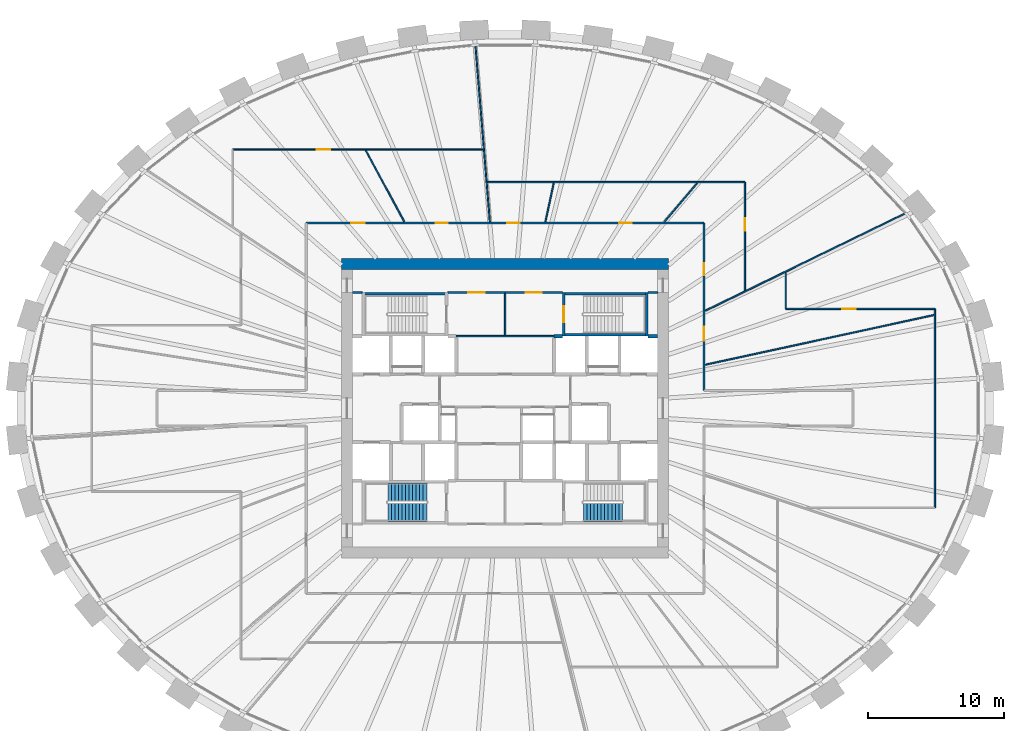
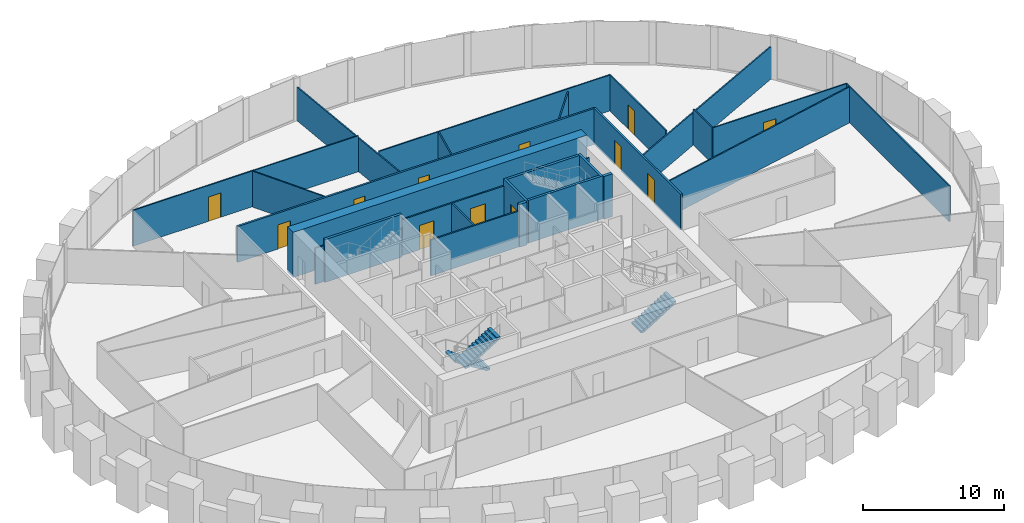
# One storey, part 9 of 11: 27 walls, 12 doors, 3 stair flights, 12 openings, 2 elements without a shape of their own.
"""IFC4 building model written with IfcOpenShell, lengths in metres."""

import ifcopenshell
import ifcopenshell.guid

model = None  # the IFC model being written
_history = None  # IfcOwnerHistory: only IFC2X3 demands one
_inside = {}  # id of a spatial element -> (the spatial element, [elements in it])
_under = {}  # id of a project, library or spatial element -> (it, [spatial elements below it])
_declared = {}  # id of a project -> (the project, [libraries it declares])
_typed = {}  # id of a type object -> (the type object, [elements of that type])
_made_of = {}  # id of a material, layer set ... -> (it, [elements and type objects made of it])


def new_model(schema):
    """Start an empty IFC model of exactly this schema.

    Asked for "IFC4X3", IfcOpenShell would pick the latest addendum, in which some entities
    have other attributes; the version numbers below select the first issue.
    IFC2X3 requires an IfcOwnerHistory on every rooted entity: one is made here for all.
    """
    global model, _history
    if schema == "IFC4X3":
        model = ifcopenshell.file(schema_version=(4, 3, 0, 0))
    else:
        model = ifcopenshell.file(schema=schema)
    _inside.clear()
    _under.clear()
    _declared.clear()
    _typed.clear()
    _made_of.clear()
    _history = None
    if model.schema == "IFC2X3":
        org = make("IfcOrganization", Name="unknown")
        user = make(
            "IfcPersonAndOrganization",
            ThePerson=make("IfcPerson", FamilyName="unknown"),
            TheOrganization=org,
        )
        app = make(
            "IfcApplication",
            ApplicationDeveloper=org,
            Version="unknown",
            ApplicationFullName="unknown",
            ApplicationIdentifier="unknown",
        )
        _history = make(
            "IfcOwnerHistory",
            OwningUser=user,
            OwningApplication=app,
            ChangeAction="ADDED",
            CreationDate=0,
        )
    return model


def make(cls, **values):
    """One entity of the class cls with the attributes given. An attribute that is None is left unset."""
    return model.create_entity(
        cls, **{name: value for name, value in values.items() if value is not None}
    )


def rooted(cls, **values):
    """An entity with a GlobalId (a new one), such as an element, a storey or a relation."""
    return make(cls, GlobalId=ifcopenshell.guid.new(), OwnerHistory=_history, **values)


def si_unit(unit_type, name, prefix=None):
    """IfcSIUnit, for example si_unit("LENGTHUNIT", "METRE", prefix="MILLI")."""
    return make("IfcSIUnit", UnitType=unit_type, Prefix=prefix, Name=name)


def assignment(units):
    """IfcUnitAssignment: the units of a project."""
    return None if units is None else make("IfcUnitAssignment", Units=units)


def point(xyz):
    """IfcCartesianPoint."""
    return None if xyz is None else make("IfcCartesianPoint", Coordinates=xyz)


def direction(xyz):
    """IfcDirection."""
    return None if xyz is None else make("IfcDirection", DirectionRatios=xyz)


def frame(location, z_axis=None, x_axis=None):
    """IfcAxis2Placement3D, a coordinate frame: its origin and axes. An axis left out is left unset."""
    return make(
        "IfcAxis2Placement3D",
        Location=point(location),
        Axis=direction(z_axis),
        RefDirection=direction(x_axis),
    )


def frame_2d(location, x_axis=None):
    """IfcAxis2Placement2D, a coordinate frame in the plane: its origin and x axis."""
    return make(
        "IfcAxis2Placement2D", Location=point(location), RefDirection=direction(x_axis)
    )


def origin():
    """The frame at (0, 0, 0) with its axes left unset."""
    return frame((0.0, 0.0, 0.0))


def place(relative_to, where):
    """IfcLocalPlacement: puts the frame where relative to a parent placement (None: the world)."""
    return make(
        "IfcLocalPlacement", PlacementRelTo=relative_to, RelativePlacement=where
    )


def context(
    kind, dimensions, precision=None, world=None, true_north=None, identifier=None
):
    """IfcGeometricRepresentationContext, for example the 3D "Model" context."""
    return make(
        "IfcGeometricRepresentationContext",
        ContextIdentifier=identifier,
        ContextType=kind,
        CoordinateSpaceDimension=dimensions,
        Precision=precision,
        WorldCoordinateSystem=world,
        TrueNorth=true_north,
    )


def subcontext(parent, identifier, kind, view, scale=None):
    """IfcGeometricRepresentationSubContext, for example "Body" below "Model"."""
    return make(
        "IfcGeometricRepresentationSubContext",
        ContextIdentifier=identifier,
        ContextType=kind,
        ParentContext=parent,
        TargetScale=scale,
        TargetView=view,
    )


def project(units=None, contexts=None):
    """IfcProject with its units and contexts."""
    return rooted(
        "IfcProject",
        Name="project",
        RepresentationContexts=contexts,
        UnitsInContext=assignment(units),
    )


def spatial(cls, under=None, at=None, **own):
    """A site, building, storey or space (cls), placed at a placement, below another one or the project."""
    s = rooted(cls, ObjectPlacement=at, **own)
    if under is not None:
        _under.setdefault(under.id(), (under, []))[1].append(s)
    return s


def polyline(points):
    """IfcPolyline through the points."""
    return make("IfcPolyline", Points=[point(p) for p in points])


def profile(cls, at=None, kind="AREA", **sizes):
    """A parametric profile (cls). Its sizes go by their IFC names, for example OverallWidth=200.0."""
    return make(cls, ProfileType=kind, Position=at, **sizes)


def rectangle(**sizes):
    """IfcRectangleProfileDef."""
    return profile("IfcRectangleProfileDef", **sizes)


def outline(outer, holes=None, kind="AREA"):
    """IfcArbitraryClosedProfileDef: a profile drawn as a closed curve; with holes, ...WithVoids."""
    if holes is None:
        return make("IfcArbitraryClosedProfileDef", ProfileType=kind, OuterCurve=outer)
    return make(
        "IfcArbitraryProfileDefWithVoids",
        ProfileType=kind,
        OuterCurve=outer,
        InnerCurves=holes,
    )


def extrude(swept, where, along, depth):
    """IfcExtrudedAreaSolid: the profile swept, set in the frame where, extruded along a direction by depth."""
    return make(
        "IfcExtrudedAreaSolid",
        SweptArea=swept,
        Position=where,
        ExtrudedDirection=direction(along),
        Depth=depth,
    )


def shape(context_of_items, identifier, shape_type, items):
    """IfcShapeRepresentation: the items that make up one representation, for example the "Body"."""
    return make(
        "IfcShapeRepresentation",
        ContextOfItems=context_of_items,
        RepresentationIdentifier=identifier,
        RepresentationType=shape_type,
        Items=items,
    )


def source(mapping_origin, context_of_items, identifier, shape_type, items):
    """IfcRepresentationMap: a shape defined once, which mapped items show again and again."""
    return make(
        "IfcRepresentationMap",
        MappingOrigin=mapping_origin,
        MappedRepresentation=shape(context_of_items, identifier, shape_type, items),
    )


def transform(
    local_origin,
    x_axis=None,
    y_axis=None,
    z_axis=None,
    scale=None,
    scale2=None,
    scale3=None,
    uniform=True,
):
    """IfcCartesianTransformationOperator3D, or its non-uniform kind. x_axis, y_axis, z_axis: its Axis1, 2, 3."""
    if uniform:
        return make(
            "IfcCartesianTransformationOperator3D",
            Axis1=direction(x_axis),
            Axis2=direction(y_axis),
            LocalOrigin=point(local_origin),
            Scale=scale,
            Axis3=direction(z_axis),
        )
    return make(
        "IfcCartesianTransformationOperator3DnonUniform",
        Axis1=direction(x_axis),
        Axis2=direction(y_axis),
        LocalOrigin=point(local_origin),
        Scale=scale,
        Axis3=direction(z_axis),
        Scale2=scale2,
        Scale3=scale3,
    )


def mapped(mapping_source, mapping_target):
    """IfcMappedItem: shows the shape of a source again, moved by a transform."""
    return make(
        "IfcMappedItem", MappingSource=mapping_source, MappingTarget=mapping_target
    )


def material(Name=None, Category=None):
    """IfcMaterial."""
    return make("IfcMaterial", Name=Name, Category=Category)


def layer(
    of_material, thickness, ventilated=None, Name=None, Category=None, Priority=None
):
    """IfcMaterialLayer: one layer of a wall or slab, of a material (None: an air gap)."""
    return make(
        "IfcMaterialLayer",
        Material=of_material,
        LayerThickness=thickness,
        IsVentilated=ventilated,
        Name=Name,
        Category=Category,
        Priority=Priority,
    )


def layer_set(layers, Name=None):
    """IfcMaterialLayerSet."""
    return make("IfcMaterialLayerSet", MaterialLayers=layers, LayerSetName=Name)


def made_of(thing, what):
    """Note that an element or type object is made of a material, layer set ...; save() writes the relation."""
    if what is not None:
        _made_of.setdefault(what.id(), (what, []))[1].append(thing)
    return thing


def type_object(cls, material=None, **own):
    """A type object (cls), such as IfcWallType, which elements share."""
    return made_of(rooted(cls, **own), material)


def element(
    cls,
    number,
    at=None,
    inside=None,
    cuts=None,
    type_object=None,
    material=None,
    context=None,
    identifier="Body",
    shape_type=None,
    held_by="IfcProductDefinitionShape",
    body=None,
    shapes=None,
    **own,
):
    """One element of the class cls, such as IfcWall. Its Tag is "e" and its number.

    at: its placement. inside: the storey or other place that contains it. cuts: it is an
    opening in that element (IfcRelVoidsElement). A single representation is given by context,
    identifier, shape_type and body (its items); several are given by shapes. held_by: the class
    of the entity that holds the representations. save() writes the other relations.
    """
    e = rooted(cls, Tag="e%d" % number, ObjectPlacement=at, **own)
    if body is not None:
        shapes = [shape(context, identifier, shape_type, body)]
    if shapes is not None:
        e.Representation = make(held_by, Representations=shapes)
    if inside is not None:
        _inside.setdefault(inside.id(), (inside, []))[1].append(e)
    if cuts is not None:
        rooted(
            "IfcRelVoidsElement", RelatingBuildingElement=cuts, RelatedOpeningElement=e
        )
    if type_object is not None:
        _typed.setdefault(type_object.id(), (type_object, []))[1].append(e)
    return made_of(e, material)


def fill(opening, filler):
    """IfcRelFillsElement: the door or window that sits in an opening."""
    return rooted(
        "IfcRelFillsElement",
        RelatingOpeningElement=opening,
        RelatedBuildingElement=filler,
    )


def aggregate(whole, parts):
    """IfcRelAggregates: a whole, such as a stair, and the parts it consists of."""
    return rooted("IfcRelAggregates", RelatingObject=whole, RelatedObjects=parts)


def save(model, path):
    """Write the relations noted so far, then the file.

    IfcRelAggregates (storeys below a building ...), IfcRelContainedInSpatialStructure (elements
    in a storey), IfcRelDefinesByType, IfcRelAssociatesMaterial and IfcRelDeclares: one each for
    every whole, place, type object, material and project.
    """
    for whole, parts in _under.values():
        aggregate(whole, parts)
    for where, things in _inside.values():
        rooted(
            "IfcRelContainedInSpatialStructure",
            RelatedElements=things,
            RelatingStructure=where,
        )
    for kind, things in _typed.values():
        rooted("IfcRelDefinesByType", RelatedObjects=things, RelatingType=kind)
    for what, things in _made_of.values():
        rooted("IfcRelAssociatesMaterial", RelatedObjects=things, RelatingMaterial=what)
    for by, libraries in _declared.values():
        rooted("IfcRelDeclares", RelatingContext=by, RelatedDefinitions=libraries)
    model.write(path)


model = new_model("IFC4")

# Units and contexts
model_context = context("Model", 3, precision=1e-05, world=origin(), true_north=direction((0.0, 1.0)))
body_context = subcontext(model_context, "Body", "Model", "MODEL_VIEW")
ifc_project = project(units=[si_unit("LENGTHUNIT", "METRE"), si_unit("AREAUNIT", "SQUARE_METRE"), si_unit("VOLUMEUNIT", "CUBIC_METRE"), si_unit("PLANEANGLEUNIT", "RADIAN"), si_unit("MASSUNIT", "GRAM", prefix="KILO")], contexts=[model_context])

# Site, building, storey
site_placement = place(None, origin())
site = spatial("IfcSite", under=ifc_project, at=site_placement, CompositionType="ELEMENT")
building_placement = place(site_placement, origin())
building = spatial("IfcBuilding", under=site, at=building_placement, Name="Embergate Tower", CompositionType="ELEMENT")
storey_placement = place(building_placement, frame((0.0, 0.0, 199.5)))
storey = spatial("IfcBuildingStorey", under=building, at=storey_placement, Name="L45", CompositionType="ELEMENT", Elevation=199.5)

# Walls
ifc_material_1 = material(Name="Concrete C70", Category="concrete")
ifc_layer_1 = layer(ifc_material_1, 0.800048828125)
ifc_layer_set_1 = layer_set([ifc_layer_1], Name="Concrete C70")
wall_type_1 = type_object("IfcWallType", Name="Core outer wall C70 800", PredefinedType="SHEAR", material=ifc_layer_set_1)
shared_shape_1 = source(origin(), body_context, "Body", "SweptSolid", [
    extrude(rectangle(XDim=24.0, YDim=0.800048828125, at=frame_2d((12.0, 0.0))), origin(), (0.0, 0.0, 1.0), 3.89990234375),
])
wall_1_placement = place(storey_placement, frame((-12.0, 10.60009765625, -0.199951171875), z_axis=(0.0, 0.0, 1.0), x_axis=(1.0, 0.0, 0.0)))
element("IfcWall", 1, at=wall_1_placement, inside=storey, type_object=wall_type_1, Name="CW-L45-N", PredefinedType="SHEAR", context=body_context, shape_type="MappedRepresentation", body=[
    mapped(shared_shape_1, transform((0.0, 0.0, 0.0))),
])
ifc_material_2 = material(Name="Concrete C50", Category="concrete")
ifc_layer_2 = layer(ifc_material_2, 0.199951171875)
ifc_layer_set_2 = layer_set([ifc_layer_2], Name="Concrete C50")
wall_type_2 = type_object("IfcWallType", Name="Stair enclosure wall reinforced concrete 250", PredefinedType="SHEAR", material=ifc_layer_set_2)
shared_shape_2 = source(origin(), body_context, "Body", "SweptSolid", [
    extrude(rectangle(XDim=6.300048828125, YDim=0.199951171875, at=frame_2d((3.14990234375, 0.0))), origin(), (0.0, 0.0, 1.0), 3.699951171875),
])
for number, where, z_axis, x_axis, name in (
    (2, (10.5, 5.39990234375, 0.0), (0.0, 0.0, 1.0), (-1.0, 0.0, 0.0), "SE-1 wall"),
    (3, (-4.199951171875, 8.39990234375, 0.0), (0.0, 0.0, 1.0), (-1.0, 0.0, 0.0), "SE-1 wall"),
    (4, (10.5, 8.39990234375, 0.0), (0.0, 0.0, 1.0), (-1.0, 0.0, 0.0), "SE-1 wall"),
):
    element("IfcWall", number, at=place(storey_placement, frame(where, z_axis=z_axis, x_axis=x_axis)), inside=storey, type_object=wall_type_2, Name=name, PredefinedType="SHEAR", context=body_context, shape_type="MappedRepresentation", body=[
        mapped(shared_shape_2, transform((0.0, 0.0, 0.0))),
    ])

# Wall, opening, door
shared_shape_3 = source(origin(), body_context, "Body", "SweptSolid", [
    extrude(rectangle(XDim=3.199951171875, YDim=0.199951171875, at=frame_2d((1.60009765625, 0.0))), origin(), (0.0, 0.0, 1.0), 3.699951171875),
])
wall_2_placement = place(storey_placement, frame((4.300048828125, 8.5, 0.0), z_axis=(0.0, 0.0, 1.0), x_axis=(0.0, -1.0, 0.0)))
wall_2 = element("IfcWall", 5, at=wall_2_placement, inside=storey, type_object=wall_type_2, Name="SE-1 wall", PredefinedType="SHEAR", context=body_context, shape_type="MappedRepresentation", body=[
    mapped(shared_shape_3, transform((0.0, 0.0, 0.0))),
])
shared_shape_4 = source(origin(), body_context, "Body", "SweptSolid", [
    extrude(rectangle(XDim=1.199951171875, YDim=2.10009765625, at=frame_2d((0.60009765625, 1.050048828125))), frame((0.0, 0.10986328125, 0.0), z_axis=(0.0, -1.0, 0.0), x_axis=(1.0, 0.0, 0.0)), (0.0, 0.0, 1.0), 0.219970703125),
])
opening_1_placement = place(wall_2_placement, frame((1.0, 0.0, 0.0)))
opening_1 = element("IfcOpeningElement", 6, at=opening_1_placement, cuts=wall_2, Name="Opening IF-2", PredefinedType="OPENING", context=body_context, shape_type="MappedRepresentation", body=[
    mapped(shared_shape_4, transform((0.0, 0.0, 0.0))),
])
ifc_material_3 = material(Name="Stair enclosure door 1200")
door_type_1 = type_object("IfcDoorType", Name="Stair enclosure door 1200", OperationType="SINGLE_SWING_LEFT", PredefinedType="DOOR", material=ifc_material_3)
shared_shape_5 = source(origin(), body_context, "Body", "SweptSolid", [
    extrude(rectangle(XDim=1.199951171875, YDim=2.10009765625, at=frame_2d((0.60009765625, 1.050048828125))), frame((0.0, 0.02490234375, 0.0), z_axis=(0.0, -1.0, 0.0), x_axis=(1.0, 0.0, 0.0)), (0.0, 0.0, 1.0), 0.050048828125),
])
door_1_placement = place(opening_1_placement, origin())
door_1 = element("IfcDoor", 7, at=door_1_placement, inside=storey, type_object=door_type_1, Name="IF-2 door", OperationType="SINGLE_SWING_LEFT", OverallHeight=2.10009765625, OverallWidth=1.199951171875, PredefinedType="DOOR", context=body_context, shape_type="MappedRepresentation", body=[
    mapped(shared_shape_5, transform((0.0, 0.0, 0.0))),
])
fill(opening_1, door_1)

# Wall, openings, doors
ifc_material_4 = material(Name="Core partition blockwork 120")
ifc_layer_3 = layer(ifc_material_4, 0.1201171875)
ifc_layer_set_3 = layer_set([ifc_layer_3], Name="Core partition blockwork 120")
wall_type_3 = type_object("IfcWallType", Name="Core partition blockwork 120", PredefinedType="PARTITIONING", material=ifc_layer_set_3)
shared_shape_6 = source(origin(), body_context, "Body", "SweptSolid", [
    extrude(rectangle(XDim=8.39990234375, YDim=0.1201171875, at=frame_2d((4.199951171875, 0.0))), origin(), (0.0, 0.0, 1.0), 3.10009765625),
])
wall_3_placement = place(storey_placement, frame((4.199951171875, 8.5, 0.0), z_axis=(0.0, 0.0, 1.0), x_axis=(-1.0, 0.0, 0.0)))
wall_3 = element("IfcWall", 8, at=wall_3_placement, inside=storey, type_object=wall_type_3, Name="IP-3 wall", PredefinedType="PARTITIONING", context=body_context, shape_type="MappedRepresentation", body=[
    mapped(shared_shape_6, transform((0.0, 0.0, 0.0))),
])
shared_shape_7 = source(origin(), body_context, "Body", "SweptSolid", [
    extrude(rectangle(XDim=1.199951171875, YDim=2.10009765625, at=frame_2d((0.60009765625, 1.050048828125))), frame((0.0, 0.070068359375, 0.0), z_axis=(0.0, -1.0, 0.0), x_axis=(1.0, 0.0, 0.0)), (0.0, 0.0, 1.0), 0.14013671875),
])
opening_2_placement = place(wall_3_placement, frame((5.699951171875, 0.0, 0.0)))
opening_2 = element("IfcOpeningElement", 9, at=opening_2_placement, cuts=wall_3, Name="Opening IF-3f", PredefinedType="OPENING", context=body_context, shape_type="MappedRepresentation", body=[
    mapped(shared_shape_7, transform((0.0, 0.0, 0.0))),
])
opening_3_placement = place(wall_3_placement, frame((1.5, 0.0, 0.0)))
opening_3 = element("IfcOpeningElement", 10, at=opening_3_placement, cuts=wall_3, Name="Opening IF-3f", PredefinedType="OPENING", context=body_context, shape_type="MappedRepresentation", body=[
    mapped(shared_shape_7, transform((0.0, 0.0, 0.0))),
])
ifc_material_5 = material(Name="Lobby fire door pair 1200")
door_type_2 = type_object("IfcDoorType", Name="Lobby fire door pair 1200", OperationType="DOUBLE_DOOR_SINGLE_SWING", PredefinedType="DOOR", material=ifc_material_5)
door_2_placement = place(opening_2_placement, origin())
door_2 = element("IfcDoor", 11, at=door_2_placement, inside=storey, type_object=door_type_2, Name="IF-3 door", OperationType="DOUBLE_DOOR_SINGLE_SWING", OverallHeight=2.10009765625, OverallWidth=1.199951171875, PredefinedType="DOOR", context=body_context, shape_type="MappedRepresentation", body=[
    mapped(shared_shape_5, transform((0.0, 0.0, 0.0))),
])
fill(opening_2, door_2)
door_3_placement = place(opening_3_placement, origin())
door_3 = element("IfcDoor", 12, at=door_3_placement, inside=storey, type_object=door_type_2, Name="IF-3 door", OperationType="DOUBLE_DOOR_SINGLE_SWING", OverallHeight=2.10009765625, OverallWidth=1.199951171875, PredefinedType="DOOR", context=body_context, shape_type="MappedRepresentation", body=[
    mapped(shared_shape_5, transform((0.0, 0.0, 0.0))),
])
fill(opening_3, door_3)

# Wall, opening, door
ifc_material_6 = material(Name="Partition dry-lined 100")
ifc_layer_4 = layer(ifc_material_6, 0.10009765625)
ifc_layer_set_4 = layer_set([ifc_layer_4], Name="Partition dry-lined 100")
wall_type_4 = type_object("IfcWallType", Name="Partition dry-lined 100", PredefinedType="PARTITIONING", material=ifc_layer_set_4)
shared_shape_8 = source(origin(), body_context, "Body", "SweptSolid", [
    extrude(rectangle(XDim=10.949951171875, YDim=0.10009765625, at=frame_2d((5.47509765625, 0.0))), origin(), (0.0, 0.0, 1.0), 3.10009765625),
])
wall_4_placement = place(storey_placement, frame((20.60009765625, 7.300048828125, 0.0), z_axis=(0.0, 0.0, 1.0), x_axis=(1.0, 0.0, 0.0)))
wall_4 = element("IfcWall", 13, at=wall_4_placement, inside=storey, type_object=wall_type_4, Name="IP-1 wall", PredefinedType="PARTITIONING", context=body_context, shape_type="MappedRepresentation", body=[
    mapped(shared_shape_8, transform((0.0, 0.0, 0.0))),
])
shared_shape_9 = source(origin(), body_context, "Body", "SweptSolid", [
    extrude(rectangle(XDim=1.0, YDim=2.10009765625, at=frame_2d((0.5, 1.050048828125))), frame((0.0, 0.06005859375, 0.0), z_axis=(0.0, -1.0, 0.0), x_axis=(1.0, 0.0, 0.0)), (0.0, 0.0, 1.0), 0.1201171875),
])
opening_4_placement = place(wall_4_placement, frame((4.133056640625, 0.0, 0.0)))
opening_4 = element("IfcOpeningElement", 14, at=opening_4_placement, cuts=wall_4, Name="Opening ID-2", PredefinedType="OPENING", context=body_context, shape_type="MappedRepresentation", body=[
    mapped(shared_shape_9, transform((0.0, 0.0, 0.0))),
])
ifc_material_7 = material(Name="Interior door 1000")
door_type_3 = type_object("IfcDoorType", Name="Interior door 1000", OperationType="SINGLE_SWING_LEFT", PredefinedType="DOOR", material=ifc_material_7)
shared_shape_10 = source(origin(), body_context, "Body", "SweptSolid", [
    extrude(rectangle(XDim=1.0, YDim=2.10009765625, at=frame_2d((0.5, 1.050048828125))), frame((0.0, 0.02490234375, 0.0), z_axis=(0.0, -1.0, 0.0), x_axis=(1.0, 0.0, 0.0)), (0.0, 0.0, 1.0), 0.050048828125),
])
door_4_placement = place(opening_4_placement, origin())
door_4 = element("IfcDoor", 15, at=door_4_placement, inside=storey, type_object=door_type_3, Name="ID-2 door", OperationType="SINGLE_SWING_LEFT", OverallHeight=2.10009765625, OverallWidth=1.0, PredefinedType="DOOR", context=body_context, shape_type="MappedRepresentation", body=[
    mapped(shared_shape_10, transform((0.0, 0.0, 0.0))),
])
fill(opening_4, door_4)

# Walls
ifc_layer_5 = layer(ifc_material_2, 0.25)
ifc_layer_set_5 = layer_set([ifc_layer_5], Name="Concrete C50")
wall_type_5 = type_object("IfcWallType", Name="Hoistway wall reinforced concrete 250", PredefinedType="SHEAR", material=ifc_layer_set_5)
shared_shape_11 = source(origin(), body_context, "Body", "SweptSolid", [
    extrude(rectangle(XDim=0.599853515625, YDim=0.25, at=frame_2d((0.2998046875, 0.0))), origin(), (0.0, 0.0, 1.0), 3.699951171875),
])
wall_5_placement = place(storey_placement, frame((4.199951171875, 5.300048828125, 0.0), z_axis=(0.0, 0.0, 1.0), x_axis=(-1.0, 0.0, 0.0)))
element("IfcWall", 16, at=wall_5_placement, inside=storey, type_object=wall_type_5, Name="HW-1 wall", PredefinedType="SHEAR", context=body_context, shape_type="MappedRepresentation", body=[
    mapped(shared_shape_11, transform((0.0, 0.0, 0.0))),
])
shared_shape_12 = source(origin(), body_context, "Body", "SweptSolid", [
    extrude(rectangle(XDim=7.2001953125, YDim=0.1201171875, at=frame_2d((3.60009765625, 0.0))), origin(), (0.0, 0.0, 1.0), 3.10009765625),
])
wall_6_placement = place(storey_placement, frame((-3.60009765625, 5.300048828125, 0.0), z_axis=(0.0, 0.0, 1.0), x_axis=(1.0, 0.0, 0.0)))
element("IfcWall", 17, at=wall_6_placement, inside=storey, type_object=wall_type_3, Name="IP-3 wall", PredefinedType="PARTITIONING", context=body_context, shape_type="MappedRepresentation", body=[
    mapped(shared_shape_12, transform((0.0, 0.0, 0.0))),
])
shared_shape_13 = source(origin(), body_context, "Body", "SweptSolid", [
    extrude(rectangle(XDim=3.079833984375, YDim=0.1201171875, at=frame_2d((1.5400390625, 0.0))), origin(), (0.0, 0.0, 1.0), 3.10009765625),
])
wall_7_placement = place(storey_placement, frame((0.0, 5.360107421875, 0.0), z_axis=(0.0, 0.0, 1.0), x_axis=(0.0, 1.0, 0.0)))
element("IfcWall", 18, at=wall_7_placement, inside=storey, type_object=wall_type_3, Name="IP-3 wall", PredefinedType="PARTITIONING", context=body_context, shape_type="MappedRepresentation", body=[
    mapped(shared_shape_13, transform((0.0, 0.0, 0.0))),
])
shared_shape_14 = source(origin(), body_context, "Body", "SweptSolid", [
    extrude(rectangle(XDim=3.196044921875, YDim=0.199951171875, at=frame_2d((1.59814453125, 0.0))), origin(), (0.0, 0.0, 1.0), 3.699951171875),
])
wall_8_placement = place(storey_placement, frame((10.39990234375, 5.302001953125, 0.0), z_axis=(0.0, 0.0, 1.0), x_axis=(0.0, 1.0, 0.0)))
element("IfcWall", 19, at=wall_8_placement, inside=storey, type_object=wall_type_2, Name="SE-1 wall", PredefinedType="SHEAR", context=body_context, shape_type="MappedRepresentation", body=[
    mapped(shared_shape_14, transform((0.0, 0.0, 0.0))),
])
shared_shape_15 = source(origin(), body_context, "Body", "SweptSolid", [
    extrude(rectangle(XDim=0.697998046875, YDim=0.25, at=frame_2d((0.34912109375, 0.0))), origin(), (0.0, 0.0, 1.0), 3.699951171875),
])
wall_9_placement = place(storey_placement, frame((11.199951171875, 5.300048828125, 0.0), z_axis=(0.0, 0.0, 1.0), x_axis=(-1.0, 0.0, 0.0)))
element("IfcWall", 20, at=wall_9_placement, inside=storey, type_object=wall_type_5, Name="HW-1 wall", PredefinedType="SHEAR", context=body_context, shape_type="MappedRepresentation", body=[
    mapped(shared_shape_15, transform((0.0, 0.0, 0.0))),
])
shared_shape_16 = source(origin(), body_context, "Body", "SweptSolid", [
    extrude(rectangle(XDim=0.697998046875, YDim=0.1201171875, at=frame_2d((0.34912109375, 0.0))), origin(), (0.0, 0.0, 1.0), 3.10009765625),
])
for number, where, z_axis, x_axis, name in (
    (21, (10.501953125, 8.5, 0.0), (0.0, 0.0, 1.0), (1.0, 0.0, 0.0), "IP-3 wall"),
    (22, (-11.199951171875, 8.5, 0.0), (0.0, 0.0, 1.0), (1.0, 0.0, 0.0), "IP-3 wall"),
):
    element("IfcWall", number, at=place(storey_placement, frame(where, z_axis=z_axis, x_axis=x_axis)), inside=storey, type_object=wall_type_3, Name=name, PredefinedType="PARTITIONING", context=body_context, shape_type="MappedRepresentation", body=[
        mapped(shared_shape_16, transform((0.0, 0.0, 0.0))),
    ])

# Wall, openings, doors
ifc_material_8 = material(Name="Corridor wall dry-lined 150")
ifc_layer_6 = layer(ifc_material_8, 0.14990234375)
ifc_layer_set_6 = layer_set([ifc_layer_6], Name="Corridor wall dry-lined 150")
wall_type_6 = type_object("IfcWallType", Name="Corridor wall dry-lined 150", PredefinedType="PARTITIONING", material=ifc_layer_set_6)
shared_shape_17 = source(origin(), body_context, "Body", "SweptSolid", [
    extrude(rectangle(XDim=12.300048828125, YDim=0.14990234375, at=frame_2d((6.14990234375, 0.0))), origin(), (0.0, 0.0, 1.0), 3.10009765625),
])
wall_10_placement = place(storey_placement, frame((14.60009765625, 13.60009765625, 0.0), z_axis=(0.0, 0.0, 1.0), x_axis=(0.0, -1.0, 0.0)))
wall_10 = element("IfcWall", 23, at=wall_10_placement, inside=storey, type_object=wall_type_6, Name="IP-2 wall", PredefinedType="PARTITIONING", context=body_context, shape_type="MappedRepresentation", body=[
    mapped(shared_shape_17, transform((0.0, 0.0, 0.0))),
])
shared_shape_18 = source(origin(), body_context, "Body", "SweptSolid", [
    extrude(rectangle(XDim=1.0, YDim=2.10009765625, at=frame_2d((0.5, 1.050048828125))), frame((0.0, 0.0849609375, 0.0), z_axis=(0.0, -1.0, 0.0), x_axis=(1.0, 0.0, 0.0)), (0.0, 0.0, 1.0), 0.169921875),
])
opening_5_placement = place(wall_10_placement, frame((7.631103515625, 0.0, 0.0)))
opening_5 = element("IfcOpeningElement", 24, at=opening_5_placement, cuts=wall_10, Name="Opening ID-2", PredefinedType="OPENING", context=body_context, shape_type="MappedRepresentation", body=[
    mapped(shared_shape_18, transform((0.0, 0.0, 0.0))),
])
shared_shape_19 = source(origin(), body_context, "Body", "SweptSolid", [
    extrude(rectangle(XDim=0.89990234375, YDim=2.10009765625, at=frame_2d((0.449951171875, 1.050048828125))), frame((0.0, 0.0849609375, 0.0), z_axis=(0.0, -1.0, 0.0), x_axis=(1.0, 0.0, 0.0)), (0.0, 0.0, 1.0), 0.169921875),
])
opening_6_placement = place(wall_10_placement, frame((2.945068359375, 0.0, 0.0)))
opening_6 = element("IfcOpeningElement", 25, at=opening_6_placement, cuts=wall_10, Name="Opening IF-1c", PredefinedType="OPENING", context=body_context, shape_type="MappedRepresentation", body=[
    mapped(shared_shape_19, transform((0.0, 0.0, 0.0))),
])
ifc_material_9 = material(Name="Escape fire door 900")
door_type_4 = type_object("IfcDoorType", Name="Escape fire door 900", OperationType="SINGLE_SWING_LEFT", PredefinedType="DOOR", material=ifc_material_9)
shared_shape_20 = source(origin(), body_context, "Body", "SweptSolid", [
    extrude(rectangle(XDim=0.89990234375, YDim=2.10009765625, at=frame_2d((0.449951171875, 1.050048828125))), frame((0.0, 0.02490234375, 0.0), z_axis=(0.0, -1.0, 0.0), x_axis=(1.0, 0.0, 0.0)), (0.0, 0.0, 1.0), 0.050048828125),
])
door_5_placement = place(opening_6_placement, origin())
door_5 = element("IfcDoor", 26, at=door_5_placement, inside=storey, type_object=door_type_4, Name="IF-1 door", OperationType="SINGLE_SWING_LEFT", OverallHeight=2.10009765625, OverallWidth=0.89990234375, PredefinedType="DOOR", context=body_context, shape_type="MappedRepresentation", body=[
    mapped(shared_shape_20, transform((0.0, 0.0, 0.0))),
])
fill(opening_6, door_5)
door_6_placement = place(opening_5_placement, origin())
door_6 = element("IfcDoor", 27, at=door_6_placement, inside=storey, type_object=door_type_3, Name="ID-2 door", OperationType="SINGLE_SWING_LEFT", OverallHeight=2.10009765625, OverallWidth=1.0, PredefinedType="DOOR", context=body_context, shape_type="MappedRepresentation", body=[
    mapped(shared_shape_10, transform((0.0, 0.0, 0.0))),
])
fill(opening_5, door_6)

ifc_material_10 = material(Name="Corridor wall dry-lined 150 wet")
ifc_layer_7 = layer(ifc_material_10, 0.14990234375)
ifc_layer_set_7 = layer_set([ifc_layer_7], Name="Corridor wall dry-lined 150 wet")
wall_type_7 = type_object("IfcWallType", Name="Corridor wall dry-lined 150 wet", PredefinedType="PLUMBINGWALL", material=ifc_layer_set_7)
shared_shape_21 = source(origin(), body_context, "Body", "SweptSolid", [
    extrude(rectangle(XDim=29.2001953125, YDim=0.14990234375, at=frame_2d((14.60009765625, 0.0))), origin(), (0.0, 0.0, 1.0), 3.10009765625),
])
wall_11_placement = place(storey_placement, frame((-14.60009765625, 13.60009765625, 0.0), z_axis=(0.0, 0.0, 1.0), x_axis=(1.0, 0.0, 0.0)))
wall_11 = element("IfcWall", 28, at=wall_11_placement, inside=storey, type_object=wall_type_7, Name="IP-2 wall", PredefinedType="PLUMBINGWALL", context=body_context, shape_type="MappedRepresentation", body=[
    mapped(shared_shape_21, transform((0.0, 0.0, 0.0))),
])
opening_7_placement = place(wall_11_placement, frame((22.99609375, 0.0, 0.0)))
opening_7 = element("IfcOpeningElement", 29, at=opening_7_placement, cuts=wall_11, Name="Opening IF-1c", PredefinedType="OPENING", context=body_context, shape_type="MappedRepresentation", body=[
    mapped(shared_shape_19, transform((0.0, 0.0, 0.0))),
])
opening_8_placement = place(wall_11_placement, frame((14.757080078125, 0.0, 0.0)))
opening_8 = element("IfcOpeningElement", 30, at=opening_8_placement, cuts=wall_11, Name="Opening IF-1c", PredefinedType="OPENING", context=body_context, shape_type="MappedRepresentation", body=[
    mapped(shared_shape_19, transform((0.0, 0.0, 0.0))),
])
opening_9_placement = place(wall_11_placement, frame((9.493896484375, 0.0, 0.0)))
opening_9 = element("IfcOpeningElement", 31, at=opening_9_placement, cuts=wall_11, Name="Opening IF-1c", PredefinedType="OPENING", context=body_context, shape_type="MappedRepresentation", body=[
    mapped(shared_shape_19, transform((0.0, 0.0, 0.0))),
])
opening_10_placement = place(wall_11_placement, frame((3.2958984375, 0.0, 0.0)))
opening_10 = element("IfcOpeningElement", 32, at=opening_10_placement, cuts=wall_11, Name="Opening ID-2", PredefinedType="OPENING", context=body_context, shape_type="MappedRepresentation", body=[
    mapped(shared_shape_18, transform((0.0, 0.0, 0.0))),
])
door_7_placement = place(opening_7_placement, origin())
door_7 = element("IfcDoor", 33, at=door_7_placement, inside=storey, type_object=door_type_4, Name="IF-1 door", OperationType="SINGLE_SWING_LEFT", OverallHeight=2.10009765625, OverallWidth=0.89990234375, PredefinedType="DOOR", context=body_context, shape_type="MappedRepresentation", body=[
    mapped(shared_shape_20, transform((0.0, 0.0, 0.0))),
])
fill(opening_7, door_7)
door_8_placement = place(opening_8_placement, origin())
door_8 = element("IfcDoor", 34, at=door_8_placement, inside=storey, type_object=door_type_4, Name="IF-1 door", OperationType="SINGLE_SWING_RIGHT", OverallHeight=2.10009765625, OverallWidth=0.89990234375, PredefinedType="DOOR", context=body_context, shape_type="MappedRepresentation", body=[
    mapped(shared_shape_20, transform((0.0, 0.0, 0.0))),
])
fill(opening_8, door_8)
door_9_placement = place(opening_9_placement, origin())
door_9 = element("IfcDoor", 35, at=door_9_placement, inside=storey, type_object=door_type_4, Name="IF-1 door", OperationType="SINGLE_SWING_LEFT", OverallHeight=2.10009765625, OverallWidth=0.89990234375, PredefinedType="DOOR", context=body_context, shape_type="MappedRepresentation", body=[
    mapped(shared_shape_20, transform((0.0, 0.0, 0.0))),
])
fill(opening_9, door_9)
door_10_placement = place(opening_10_placement, origin())
door_10 = element("IfcDoor", 36, at=door_10_placement, inside=storey, type_object=door_type_3, Name="ID-2 door", OperationType="SINGLE_SWING_LEFT", OverallHeight=2.10009765625, OverallWidth=1.0, PredefinedType="DOOR", context=body_context, shape_type="MappedRepresentation", body=[
    mapped(shared_shape_10, transform((0.0, 0.0, 0.0))),
])
fill(opening_10, door_10)

# Walls
shared_shape_22 = source(origin(), body_context, "Body", "SweptSolid", [
    extrude(rectangle(XDim=17.195556640625, YDim=0.10009765625, at=frame_2d((8.59765625, 0.0))), origin(), (0.0, 0.0, 1.0), 3.10009765625),
])
wall_12_placement = place(storey_placement, frame((31.489013671875, 6.844970703125, 0.0), z_axis=(0.0, 0.0, 1.0), x_axis=(-0.977173288454, -0.212443790994, 0.0)))
element("IfcWall", 37, at=wall_12_placement, inside=storey, type_object=wall_type_4, Name="IP-1 wall", PredefinedType="PARTITIONING", context=body_context, shape_type="MappedRepresentation", body=[
    mapped(shared_shape_22, transform((0.0, 0.0, 0.0))),
])
shared_shape_23 = source(origin(), body_context, "Body", "SweptSolid", [
    extrude(rectangle(XDim=14.60009765625, YDim=0.10009765625, at=frame_2d((7.300048828125, 0.0))), origin(), (0.0, 0.0, 1.0), 3.10009765625),
])
wall_13_placement = place(storey_placement, frame((31.550048828125, 7.300048828125, 0.0), z_axis=(0.0, 0.0, 1.0), x_axis=(0.0, -1.0, 0.0)))
element("IfcWall", 38, at=wall_13_placement, inside=storey, type_object=wall_type_4, Name="IP-1 wall", PredefinedType="PARTITIONING", context=body_context, shape_type="MappedRepresentation", body=[
    mapped(shared_shape_23, transform((0.0, 0.0, 0.0))),
])
shared_shape_24 = source(origin(), body_context, "Body", "SweptSolid", [
    extrude(rectangle(XDim=2.65185546875, YDim=0.10009765625, at=frame_2d((1.325927734375, 0.0))), origin(), (0.0, 0.0, 1.0), 3.10009765625),
])
wall_14_placement = place(storey_placement, frame((20.60009765625, 9.951904296875, 0.0), z_axis=(0.0, 0.0, 1.0), x_axis=(0.0, -1.0, 0.0)))
element("IfcWall", 39, at=wall_14_placement, inside=storey, type_object=wall_type_4, Name="IP-1 wall", PredefinedType="PARTITIONING", context=body_context, shape_type="MappedRepresentation", body=[
    mapped(shared_shape_24, transform((0.0, 0.0, 0.0))),
])
ifc_material_11 = material(Name="Partition dry-lined 100 wet")
ifc_layer_8 = layer(ifc_material_11, 0.10009765625)
ifc_layer_set_8 = layer_set([ifc_layer_8], Name="Partition dry-lined 100 wet")
wall_type_8 = type_object("IfcWallType", Name="Partition dry-lined 100 wet", PredefinedType="PLUMBINGWALL", material=ifc_layer_set_8)
shared_shape_25 = source(origin(), body_context, "Body", "SweptSolid", [
    extrude(rectangle(XDim=16.35498046875, YDim=0.10009765625, at=frame_2d((8.177490234375, 0.0))), origin(), (0.0, 0.0, 1.0), 2.800048828125),
])
wall_15_placement = place(storey_placement, frame((29.40087890625, 14.318115234375, 0.0), z_axis=(0.0, 0.0, 1.0), x_axis=(-0.899044868623, -0.437856510974, 0.0)))
element("IfcWall", 40, at=wall_15_placement, inside=storey, type_object=wall_type_8, Name="IP-1 wall", PredefinedType="PLUMBINGWALL", context=body_context, shape_type="MappedRepresentation", body=[
    mapped(shared_shape_25, transform((0.0, 0.0, 0.0))),
])
shared_shape_26 = source(origin(), body_context, "Body", "SweptSolid", [
    extrude(rectangle(XDim=3.693603515625, YDim=0.10009765625, at=frame_2d((1.8466796875, 0.0))), origin(), (0.0, 0.0, 1.0), 2.89990234375),
])
wall_16_placement = place(storey_placement, frame((11.694091796875, 13.70703125, 0.0), z_axis=(0.0, 0.0, 1.0), x_axis=(0.648971364337, 0.760812833929, 0.0)))
element("IfcWall", 41, at=wall_16_placement, inside=storey, type_object=wall_type_8, Name="IP-1 wall", PredefinedType="PLUMBINGWALL", context=body_context, shape_type="MappedRepresentation", body=[
    mapped(shared_shape_26, transform((0.0, 0.0, 0.0))),
])

# Wall, opening, door
shared_shape_27 = source(origin(), body_context, "Body", "SweptSolid", [
    extrude(rectangle(XDim=7.94921875, YDim=0.10009765625, at=frame_2d((3.974609375, 0.0))), origin(), (0.0, 0.0, 1.0), 3.10009765625),
])
wall_17_placement = place(storey_placement, frame((17.60009765625, 8.65087890625, 0.0), z_axis=(0.0, 0.0, 1.0), x_axis=(0.0, 1.0, 0.0)))
wall_17 = element("IfcWall", 42, at=wall_17_placement, inside=storey, type_object=wall_type_8, Name="IP-1 wall", PredefinedType="PLUMBINGWALL", context=body_context, shape_type="MappedRepresentation", body=[
    mapped(shared_shape_27, transform((0.0, 0.0, 0.0))),
])
shared_shape_28 = source(origin(), body_context, "Body", "SweptSolid", [
    extrude(rectangle(XDim=0.89990234375, YDim=2.10009765625, at=frame_2d((0.449951171875, 1.050048828125))), frame((0.0, 0.06005859375, 0.0), z_axis=(0.0, -1.0, 0.0), x_axis=(1.0, 0.0, 0.0)), (0.0, 0.0, 1.0), 0.1201171875),
])
opening_11_placement = place(wall_17_placement, frame((4.398681640625, 0.0, 0.0)))
opening_11 = element("IfcOpeningElement", 43, at=opening_11_placement, cuts=wall_17, Name="Opening ID-1", PredefinedType="OPENING", context=body_context, shape_type="MappedRepresentation", body=[
    mapped(shared_shape_28, transform((0.0, 0.0, 0.0))),
])
ifc_material_12 = material(Name="Interior door 900")
door_type_5 = type_object("IfcDoorType", Name="Interior door 900", OperationType="SINGLE_SWING_LEFT", PredefinedType="DOOR", material=ifc_material_12)
door_11_placement = place(opening_11_placement, origin())
door_11 = element("IfcDoor", 44, at=door_11_placement, inside=storey, type_object=door_type_5, Name="ID-1 door", OperationType="SINGLE_SWING_RIGHT", OverallHeight=2.10009765625, OverallWidth=0.89990234375, PredefinedType="DOOR", context=body_context, shape_type="MappedRepresentation", body=[
    mapped(shared_shape_20, transform((0.0, 0.0, 0.0))),
])
fill(opening_11, door_11)

# Walls
shared_shape_29 = source(origin(), body_context, "Body", "SweptSolid", [
    extrude(rectangle(XDim=18.906982421875, YDim=0.10009765625, at=frame_2d((9.45361328125, 0.0))), origin(), (0.0, 0.0, 1.0), 3.10009765625),
])
wall_18_placement = place(storey_placement, frame((17.60009765625, 16.60009765625, 0.0), z_axis=(0.0, 0.0, 1.0), x_axis=(-1.0, 0.0, 0.0)))
element("IfcWall", 45, at=wall_18_placement, inside=storey, type_object=wall_type_8, Name="IP-1 wall", PredefinedType="PLUMBINGWALL", context=body_context, shape_type="MappedRepresentation", body=[
    mapped(shared_shape_29, transform((0.0, 0.0, 0.0))),
])
shared_shape_30 = source(origin(), body_context, "Body", "SweptSolid", [
    extrude(rectangle(XDim=2.9189453125, YDim=0.10009765625, at=frame_2d((1.45947265625, 0.0))), origin(), (0.0, 0.0, 1.0), 3.10009765625),
])
wall_19_placement = place(storey_placement, frame((2.955078125, 13.68603515625, 0.0), z_axis=(0.0, 0.0, 1.0), x_axis=(0.211356547665, 0.977409028892, 0.0)))
element("IfcWall", 46, at=wall_19_placement, inside=storey, type_object=wall_type_8, Name="IP-1 wall", PredefinedType="PLUMBINGWALL", context=body_context, shape_type="MappedRepresentation", body=[
    mapped(shared_shape_30, transform((0.0, 0.0, 0.0))),
])
shared_shape_31 = source(origin(), body_context, "Body", "SweptSolid", [
    extrude(rectangle(XDim=13.025146484375, YDim=0.10009765625, at=frame_2d((6.5126953125, 0.0))), origin(), (0.0, 0.0, 1.0), 2.89990234375),
])
wall_20_placement = place(storey_placement, frame((-1.117919921875, 13.675048828125, 0.0), z_axis=(0.0, 0.0, 1.0), x_axis=(-0.081460046977, 0.996676607906, 0.0)))
element("IfcWall", 47, at=wall_20_placement, inside=storey, type_object=wall_type_8, Name="IP-1 wall", PredefinedType="PLUMBINGWALL", context=body_context, shape_type="MappedRepresentation", body=[
    mapped(shared_shape_31, transform((0.0, 0.0, 0.0))),
])
shared_shape_32 = source(origin(), body_context, "Body", "SweptSolid", [
    extrude(rectangle(XDim=5.941650390625, YDim=0.10009765625, at=frame_2d((2.970703125, 0.0))), origin(), (0.0, 0.0, 1.0), 3.10009765625),
])
wall_21_placement = place(storey_placement, frame((-7.40087890625, 13.698974609375, 0.0), z_axis=(0.0, 0.0, 1.0), x_axis=(-0.475486095106, 0.879723236797, 0.0)))
element("IfcWall", 48, at=wall_21_placement, inside=storey, type_object=wall_type_4, Name="IP-1 wall", PredefinedType="PARTITIONING", context=body_context, shape_type="MappedRepresentation", body=[
    mapped(shared_shape_32, transform((0.0, 0.0, 0.0))),
])

# Wall, opening, door
shared_shape_33 = source(origin(), body_context, "Body", "SweptSolid", [
    extrude(rectangle(XDim=18.39697265625, YDim=0.10009765625, at=frame_2d((9.198486328125, 0.0))), origin(), (0.0, 0.0, 1.0), 3.10009765625),
])
wall_22_placement = place(storey_placement, frame((-20.0, 19.0, 0.0), z_axis=(0.0, 0.0, 1.0), x_axis=(1.0, 0.0, 0.0)))
wall_22 = element("IfcWall", 49, at=wall_22_placement, inside=storey, type_object=wall_type_4, Name="IP-1 wall", PredefinedType="PARTITIONING", context=body_context, shape_type="MappedRepresentation", body=[
    mapped(shared_shape_33, transform((0.0, 0.0, 0.0))),
])
opening_12_placement = place(wall_22_placement, frame((6.156982421875, 0.0, 0.0)))
opening_12 = element("IfcOpeningElement", 50, at=opening_12_placement, cuts=wall_22, Name="Opening ID-2", PredefinedType="OPENING", context=body_context, shape_type="MappedRepresentation", body=[
    mapped(shared_shape_9, transform((0.0, 0.0, 0.0))),
])
door_12_placement = place(opening_12_placement, origin())
door_12 = element("IfcDoor", 51, at=door_12_placement, inside=storey, type_object=door_type_3, Name="ID-2 door", OperationType="SINGLE_SWING_LEFT", OverallHeight=2.10009765625, OverallWidth=1.0, PredefinedType="DOOR", context=body_context, shape_type="MappedRepresentation", body=[
    mapped(shared_shape_10, transform((0.0, 0.0, 0.0))),
])
fill(opening_12, door_12)

# Stair, stair flights
ifc_material_13 = material(Name="Exit stair")
stair_type = type_object("IfcStairType", Name="Exit stair", PredefinedType="HALF_TURN_STAIR", material=ifc_material_13)
stair_1_placement = place(storey_placement, origin())
stair_1 = element("IfcStair", 52, at=stair_1_placement, inside=storey, type_object=stair_type, Name="L45 Exit stair 3", PredefinedType="HALF_TURN_STAIR")
ifc_material_14 = material(Name="Concrete C40", Category="concrete")
stair_flight_type = type_object("IfcStairFlightType", Name="Stair flight reinforced concrete", PredefinedType="STRAIGHT", material=ifc_material_14)
shared_shape_34 = source(origin(), body_context, "Body", "SweptSolid", [
    extrude(outline(polyline([(0.0, 0.0), (0.0, 0.16259765625), (0.260009765625, 0.16259765625), (0.260009765625, 0.324951171875), (0.52001953125, 0.324951171875), (0.52001953125, 0.487548828125), (0.780029296875, 0.487548828125), (0.780029296875, 0.64990234375), (1.0400390625, 0.64990234375), (1.0400390625, 0.8125), (1.300048828125, 0.8125), (1.300048828125, 0.97509765625), (1.56005859375, 0.97509765625), (1.56005859375, 1.137451171875), (1.820068359375, 1.137451171875), (1.820068359375, 1.300048828125), (2.080078125, 1.300048828125), (2.080078125, 1.46240234375), (2.340087890625, 1.46240234375), (2.340087890625, 1.625), (2.60009765625, 1.625), (2.60009765625, 1.78759765625), (2.860107421875, 1.78759765625), (2.860107421875, 1.949951171875), (2.860107421875, 1.61083984375), (0.28271484375, 0.0), (0.0, 0.0)])), frame((0.0, 0.675048828125, 0.0), z_axis=(0.0, -1.0, 0.0), x_axis=(1.0, 0.0, 0.0)), (0.0, 0.0, 1.0), 1.35009765625),
])
stair_flight_1_placement = place(storey_placement, frame((-5.75, -6.175048828125, 0.0), z_axis=(0.0, 0.0, 1.0), x_axis=(-1.0, 0.0, 0.0)))
stair_flight_1 = element("IfcStairFlight", 53, at=stair_flight_1_placement, type_object=stair_flight_type, Name="ST3 flight 1", NumberOfRisers=12, NumberOfTreads=11, PredefinedType="STRAIGHT", RiserHeight=0.1625, TreadLength=0.26, context=body_context, shape_type="MappedRepresentation", body=[
    mapped(shared_shape_34, transform((0.0, 0.0, 0.0))),
])
stair_flight_2_placement = place(storey_placement, frame((-8.610107421875, -7.625, 1.949951171875), z_axis=(0.0, 0.0, 1.0), x_axis=(1.0, 0.0, 0.0)))
stair_flight_2 = element("IfcStairFlight", 54, at=stair_flight_2_placement, type_object=stair_flight_type, Name="ST3 flight 2", NumberOfRisers=12, NumberOfTreads=11, PredefinedType="STRAIGHT", RiserHeight=0.1625, TreadLength=0.26, context=body_context, shape_type="MappedRepresentation", body=[
    mapped(shared_shape_34, transform((0.0, 0.0, 0.0))),
])
aggregate(stair_1, [stair_flight_1, stair_flight_2])

# Stair, stair flight
stair_2_placement = place(storey_placement, origin())
stair_2 = element("IfcStair", 55, at=stair_2_placement, inside=storey, type_object=stair_type, Name="L45 Exit stair 4", PredefinedType="HALF_TURN_STAIR")
stair_flight_3_placement = place(storey_placement, frame((5.75, -7.625, 0.0), z_axis=(0.0, 0.0, 1.0), x_axis=(1.0, 0.0, 0.0)))
stair_flight_3 = element("IfcStairFlight", 56, at=stair_flight_3_placement, type_object=stair_flight_type, Name="ST4 flight 1", NumberOfRisers=12, NumberOfTreads=11, PredefinedType="STRAIGHT", RiserHeight=0.1625, TreadLength=0.26, context=body_context, shape_type="MappedRepresentation", body=[
    mapped(shared_shape_34, transform((0.0, 0.0, 0.0))),
])
aggregate(stair_2, [stair_flight_3])

save(model, "model.ifc")
